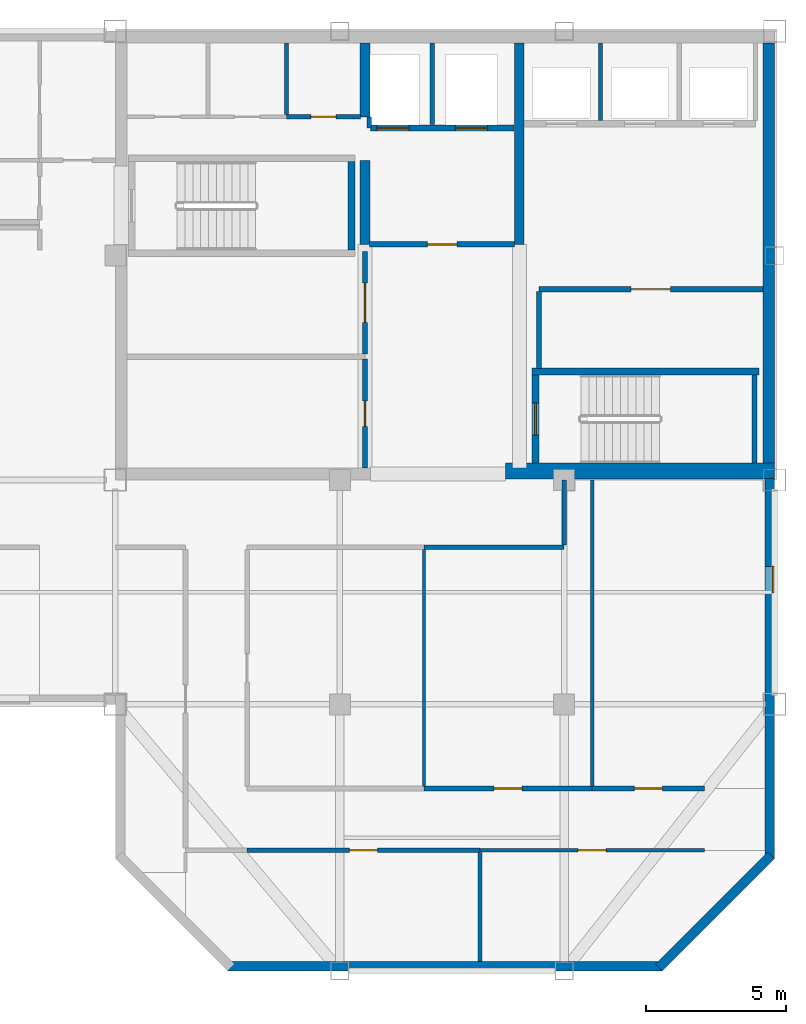
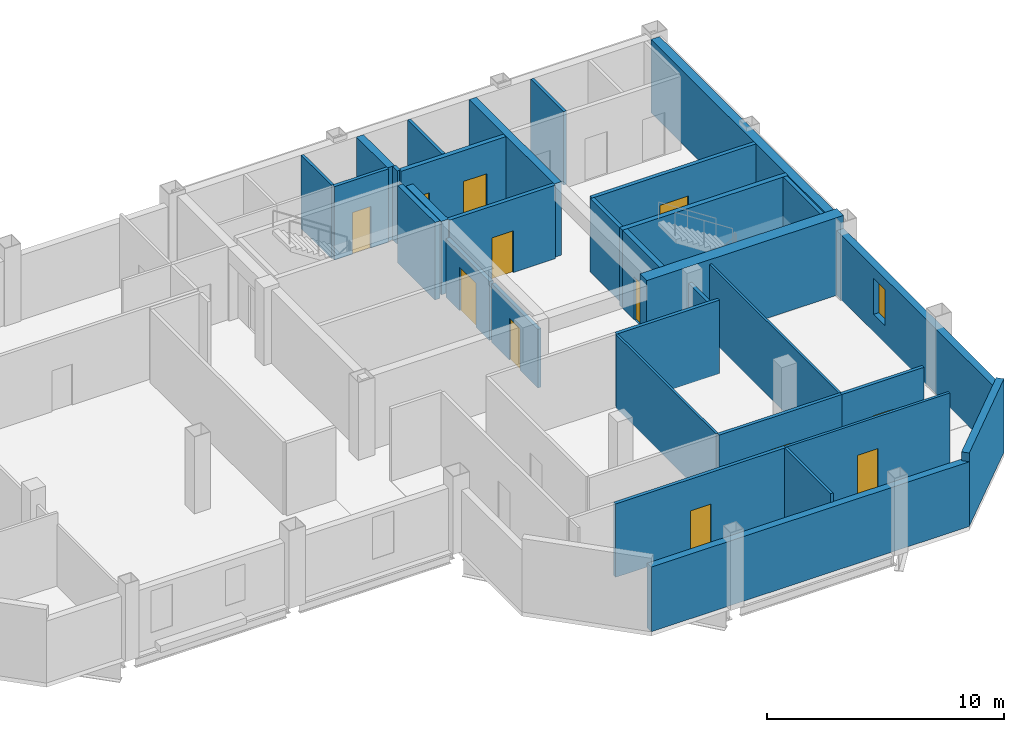
# One storey, part 3 of 7: 32 walls, 12 doors, 1 window, 13 openings.
"""IFC4 building model written with IfcOpenShell, lengths in metres."""

from ifc_helpers import new_model, si_unit, direction, frame, frame_2d, origin, place, context, subcontext, project, spatial, rectangle, extrude, material, layer, layer_set, type_object, element, fill, save


model = new_model("IFC4")

# Units and contexts
model_context = context("Model", 3, precision=1e-05, world=origin(), true_north=direction((0.0, 1.0)))
body_context = subcontext(model_context, "Body", "Model", "MODEL_VIEW")
ifc_project = project(units=[si_unit("LENGTHUNIT", "METRE"), si_unit("AREAUNIT", "SQUARE_METRE"), si_unit("VOLUMEUNIT", "CUBIC_METRE"), si_unit("PLANEANGLEUNIT", "RADIAN"), si_unit("MASSUNIT", "GRAM", prefix="KILO")], contexts=[model_context])

# Site, building, storey
site_placement = place(None, origin())
site = spatial("IfcSite", under=ifc_project, at=site_placement, CompositionType="ELEMENT")
building_placement = place(site_placement, origin())
building = spatial("IfcBuilding", under=site, at=building_placement, Name="Qianrong Seaharbour Tower", CompositionType="ELEMENT")
storey_placement = place(building_placement, frame((0.0, 0.0, 335.199951171875)))
storey = spatial("IfcBuildingStorey", under=building, at=storey_placement, Name="L81", CompositionType="ELEMENT", Elevation=335.199951171875)

# Walls
ifc_material_1 = material(Name="Concrete C50/60", Category="concrete")
ifc_layer_1 = layer(ifc_material_1, 0.419921875)
ifc_layer_set_1 = layer_set([ifc_layer_1], Name="Concrete C50/60")
wall_type_1 = type_object("IfcWallType", Name="WALL-CORE-420", PredefinedType="SHEAR", material=ifc_layer_set_1)
wall_1_placement = place(storey_placement, frame((63.7900390625, 36.320068359375, 0.0), z_axis=(0.0, 0.0, 1.0), x_axis=(0.0, 1.0, 0.0)))
element("IfcWall", 1, at=wall_1_placement, inside=storey, type_object=wall_type_1, Name="L81 East Core Shear Wall", PredefinedType="SHEAR", context=body_context, shape_type="SweptSolid", body=[
    extrude(rectangle(XDim=15.260009765625, YDim=0.419921875, at=frame_2d((7.6298828125, 0.0))), origin(), (0.0, 0.0, 1.0), 3.78515625),
])
ifc_material_2 = material(Name="Concrete C70/85", Category="concrete")
ifc_layer_2 = layer(ifc_material_2, 0.580078125)
ifc_layer_set_2 = layer_set([ifc_layer_2], Name="Concrete C70/85")
wall_type_2 = type_object("IfcWallType", Name="WALL-CORE-580", PredefinedType="SHEAR", material=ifc_layer_set_2)
wall_2_placement = place(storey_placement, frame((54.39990234375, 36.320068359375, 0.0), z_axis=(0.0, 0.0, 1.0), x_axis=(1.0, 0.0, 0.0)))
element("IfcWall", 2, at=wall_2_placement, inside=storey, type_object=wall_type_2, Name="L81 South Core Shear Wall S3", PredefinedType="SHEAR", context=body_context, shape_type="SweptSolid", body=[
    extrude(rectangle(XDim=9.60009765625, YDim=0.580078125, at=frame_2d((4.800048828125, 0.0))), origin(), (0.0, 0.0, 1.0), 4.0),
])
ifc_layer_3 = layer(ifc_material_1, 0.35009765625)
ifc_layer_set_3 = layer_set([ifc_layer_3], Name="Concrete C50/60")
wall_type_3 = type_object("IfcWallType", Name="WALL-CORE-INT-350", PredefinedType="SHEAR", material=ifc_layer_set_3)
wall_3_placement = place(storey_placement, frame((49.39990234375, 44.39990234375, 0.0), z_axis=(0.0, 0.0, 1.0), x_axis=(0.0, 1.0, 0.0)))
element("IfcWall", 3, at=wall_3_placement, inside=storey, type_object=wall_type_3, Name="L81 Internal Core Shear Wall IW1N1", PredefinedType="SHEAR", context=body_context, shape_type="SweptSolid", body=[
    extrude(rectangle(XDim=3.0, YDim=0.35009765625, at=frame_2d((1.5, 0.0))), origin(), (0.0, 0.0, 1.0), 3.78515625),
])
wall_4_placement = place(storey_placement, frame((49.39990234375, 48.949951171875, 0.0), z_axis=(0.0, 0.0, 1.0), x_axis=(0.0, 1.0, 0.0)))
element("IfcWall", 4, at=wall_4_placement, inside=storey, type_object=wall_type_3, Name="L81 Internal Core Shear Wall IW1N2", PredefinedType="SHEAR", context=body_context, shape_type="SweptSolid", body=[
    extrude(rectangle(XDim=2.630126953125, YDim=0.35009765625, at=frame_2d((1.31494140625, 0.0))), origin(), (0.0, 0.0, 1.0), 3.78515625),
])
wall_5_placement = place(storey_placement, frame((54.89990234375, 44.39990234375, 0.0), z_axis=(0.0, 0.0, 1.0), x_axis=(0.0, 1.0, 0.0)))
element("IfcWall", 5, at=wall_5_placement, inside=storey, type_object=wall_type_3, Name="L81 Internal Core Shear Wall IW2N", PredefinedType="SHEAR", context=body_context, shape_type="SweptSolid", body=[
    extrude(rectangle(XDim=7.18017578125, YDim=0.35009765625, at=frame_2d((3.590087890625, 0.0))), origin(), (0.0, 0.0, 1.0), 3.78515625),
])

# Wall, opening, door
ifc_material_3 = material(Name="Fire-rated acoustic gypsum board partition")
ifc_layer_4 = layer(ifc_material_3, 0.1650390625)
ifc_layer_set_4 = layer_set([ifc_layer_4], Name="Fire-rated acoustic gypsum board partition")
wall_type_4 = type_object("IfcWallType", Name="WALL-CORR-PART-165", PredefinedType="PARTITIONING", material=ifc_layer_set_4)
wall_6_placement = place(storey_placement, frame((46.60009765625, 48.949951171875, 0.0), z_axis=(0.0, 0.0, 1.0), x_axis=(1.0, 0.0, 0.0)))
wall_6 = element("IfcWall", 6, at=wall_6_placement, inside=storey, type_object=wall_type_4, Name="L81 Interior Partition Wall 008", PredefinedType="PARTITIONING", context=body_context, shape_type="SweptSolid", body=[
    extrude(rectangle(XDim=2.6328125, YDim=0.1650390625, at=frame_2d((1.31640625, 0.0))), origin(), (0.0, 0.0, 1.0), 3.78515625),
])
opening_1_placement = place(wall_6_placement, frame((0.866455078125, 0.0, 0.0)))
opening_1 = element("IfcOpeningElement", 7, at=opening_1_placement, cuts=wall_6, Name="Opening DS-01", PredefinedType="OPENING", context=body_context, shape_type="SweptSolid", body=[
    extrude(rectangle(XDim=0.89990234375, YDim=2.14990234375, at=frame_2d((0.449951171875, 1.074951171875))), frame((0.0, 0.092529296875, 0.0), z_axis=(0.0, -1.0, 0.0), x_axis=(1.0, 0.0, 0.0)), (0.0, 0.0, 1.0), 0.18505859375),
])
ifc_material_4 = material(Name="Acoustic timber and galvanized steel fire door assembly", Category="steel")
door_type_1 = type_object("IfcDoorType", Name="DOOR-STORE-900x2150", OperationType="NOTDEFINED", PredefinedType="DOOR", material=ifc_material_4)
door_1_placement = place(opening_1_placement, origin())
door_1 = element("IfcDoor", 8, at=door_1_placement, inside=storey, type_object=door_type_1, Name="L81 Cleaner Store Room Door", OperationType="SINGLE_SWING_LEFT", OverallHeight=2.14990234375, OverallWidth=0.89990234375, PredefinedType="DOOR", context=body_context, shape_type="SweptSolid", body=[
    extrude(rectangle(XDim=0.89990234375, YDim=2.14990234375, at=frame_2d((0.449951171875, 1.074951171875))), frame((0.0, 0.02490234375, 0.0), z_axis=(0.0, -1.0, 0.0), x_axis=(1.0, 0.0, 0.0)), (0.0, 0.0, 1.0), 0.050048828125),
])
fill(opening_1, door_1)

wall_7_placement = place(storey_placement, frame((49.39990234375, 36.419921875, 0.0), z_axis=(0.0, 0.0, 1.0), x_axis=(0.0, 1.0, 0.0)))
wall_7 = element("IfcWall", 9, at=wall_7_placement, inside=storey, type_object=wall_type_4, Name="L81 Interior Partition Wall 010", PredefinedType="PARTITIONING", context=body_context, shape_type="SweptSolid", body=[
    extrude(rectangle(XDim=3.89306640625, YDim=0.1650390625, at=frame_2d((1.946533203125, 0.0))), origin(), (0.0, 0.0, 1.0), 3.027099609375),
])
opening_2_placement = place(wall_7_placement, frame((1.49658203125, 0.0, 0.0)))
opening_2 = element("IfcOpeningElement", 10, at=opening_2_placement, cuts=wall_7, Name="Opening DS-01", PredefinedType="OPENING", context=body_context, shape_type="SweptSolid", body=[
    extrude(rectangle(XDim=0.89990234375, YDim=2.14990234375, at=frame_2d((0.449951171875, 1.074951171875))), frame((0.0, 0.092529296875, 0.0), z_axis=(0.0, -1.0, 0.0), x_axis=(1.0, 0.0, 0.0)), (0.0, 0.0, 1.0), 0.18505859375),
])
door_2_placement = place(opening_2_placement, origin())
door_2 = element("IfcDoor", 11, at=door_2_placement, inside=storey, type_object=door_type_1, Name="L81 Corporate Archive Room Door", OperationType="SINGLE_SWING_RIGHT", OverallHeight=2.14990234375, OverallWidth=0.89990234375, PredefinedType="DOOR", context=body_context, shape_type="SweptSolid", body=[
    extrude(rectangle(XDim=0.89990234375, YDim=2.14990234375, at=frame_2d((0.449951171875, 1.074951171875))), frame((0.0, 0.02490234375, 0.0), z_axis=(0.0, -1.0, 0.0), x_axis=(1.0, 0.0, 0.0)), (0.0, 0.0, 1.0), 0.050048828125),
])
fill(opening_2, door_2)

# Walls
wall_8_placement = place(storey_placement, frame((56.5, 36.0, 0.0), z_axis=(0.0, 0.0, 1.0), x_axis=(0.0, -1.0, 0.0)))
element("IfcWall", 12, at=wall_8_placement, inside=storey, type_object=wall_type_4, Name="L81 Interior Partition Wall 026", PredefinedType="PARTITIONING", context=body_context, shape_type="SweptSolid", body=[
    extrude(rectangle(XDim=2.325439453125, YDim=0.1650390625, at=frame_2d((1.16259765625, 0.0))), origin(), (0.0, 0.0, 1.0), 3.177001953125),
])
wall_9_placement = place(storey_placement, frame((56.5, 33.60009765625, 0.0), z_axis=(0.0, 0.0, 1.0), x_axis=(-1.0, 0.0, 0.0)))
element("IfcWall", 13, at=wall_9_placement, inside=storey, type_object=wall_type_4, Name="L81 Interior Partition Wall 027", PredefinedType="PARTITIONING", context=body_context, shape_type="SweptSolid", body=[
    extrude(rectangle(XDim=5.0, YDim=0.1650390625, at=frame_2d((2.5, 0.0))), origin(), (0.0, 0.0, 1.0), 3.78515625),
])

# Wall, opening, door
wall_10_placement = place(storey_placement, frame((51.5, 25.0, 0.0), z_axis=(0.0, 0.0, 1.0), x_axis=(1.0, 0.0, 0.0)))
wall_10 = element("IfcWall", 14, at=wall_10_placement, inside=storey, type_object=wall_type_4, Name="L81 Interior Partition Wall 033", PredefinedType="PARTITIONING", context=body_context, shape_type="SweptSolid", body=[
    extrude(rectangle(XDim=6.0, YDim=0.1650390625, at=frame_2d((3.0, 0.0))), origin(), (0.0, 0.0, 1.0), 3.78515625),
])
opening_3_placement = place(wall_10_placement, frame((2.5, 0.0, 0.0)))
opening_3 = element("IfcOpeningElement", 15, at=opening_3_placement, cuts=wall_10, Name="Opening DO-01", PredefinedType="OPENING", context=body_context, shape_type="SweptSolid", body=[
    extrude(rectangle(XDim=1.0, YDim=2.14990234375, at=frame_2d((0.5, 1.074951171875))), frame((0.0, 0.092529296875, 0.0), z_axis=(0.0, -1.0, 0.0), x_axis=(1.0, 0.0, 0.0)), (0.0, 0.0, 1.0), 0.18505859375),
])
door_type_2 = type_object("IfcDoorType", Name="DOOR-OFFICE-1000x2150", OperationType="NOTDEFINED", PredefinedType="DOOR", material=ifc_material_4)
door_3_placement = place(opening_3_placement, origin())
door_3 = element("IfcDoor", 16, at=door_3_placement, inside=storey, type_object=door_type_2, Name="L81 Catering Servery Kitchen 2 Door", OperationType="SINGLE_SWING_RIGHT", OverallHeight=2.14990234375, OverallWidth=1.0, PredefinedType="DOOR", context=body_context, shape_type="SweptSolid", body=[
    extrude(rectangle(XDim=1.0, YDim=2.14990234375, at=frame_2d((0.5, 1.074951171875))), frame((0.0, 0.02490234375, 0.0), z_axis=(0.0, -1.0, 0.0), x_axis=(1.0, 0.0, 0.0)), (0.0, 0.0, 1.0), 0.050048828125),
])
fill(opening_3, door_3)

wall_11_placement = place(storey_placement, frame((57.5, 25.0, 0.0), z_axis=(0.0, 0.0, 1.0), x_axis=(1.0, 0.0, 0.0)))
wall_11 = element("IfcWall", 17, at=wall_11_placement, inside=storey, type_object=wall_type_4, Name="L81 Interior Partition Wall 034", PredefinedType="PARTITIONING", context=body_context, shape_type="SweptSolid", body=[
    extrude(rectangle(XDim=4.0, YDim=0.1650390625, at=frame_2d((2.0, 0.0))), origin(), (0.0, 0.0, 1.0), 3.78515625),
])
opening_4_placement = place(wall_11_placement, frame((1.5, 0.0, 0.0)))
opening_4 = element("IfcOpeningElement", 18, at=opening_4_placement, cuts=wall_11, Name="Opening DO-01", PredefinedType="OPENING", context=body_context, shape_type="SweptSolid", body=[
    extrude(rectangle(XDim=1.0, YDim=2.14990234375, at=frame_2d((0.5, 1.074951171875))), frame((0.0, 0.092529296875, 0.0), z_axis=(0.0, -1.0, 0.0), x_axis=(1.0, 0.0, 0.0)), (0.0, 0.0, 1.0), 0.18505859375),
])
door_4_placement = place(opening_4_placement, origin())
door_4 = element("IfcDoor", 19, at=door_4_placement, inside=storey, type_object=door_type_2, Name="L81 Staff Lounge 3 Door", OperationType="SINGLE_SWING_LEFT", OverallHeight=2.14990234375, OverallWidth=1.0, PredefinedType="DOOR", context=body_context, shape_type="SweptSolid", body=[
    extrude(rectangle(XDim=1.0, YDim=2.14990234375, at=frame_2d((0.5, 1.074951171875))), frame((0.0, 0.02490234375, 0.0), z_axis=(0.0, -1.0, 0.0), x_axis=(1.0, 0.0, 0.0)), (0.0, 0.0, 1.0), 0.050048828125),
])
fill(opening_4, door_4)

wall_12_placement = place(storey_placement, frame((53.5, 22.800048828125, 0.0), z_axis=(0.0, 0.0, 1.0), x_axis=(-1.0, 0.0, 0.0)))
wall_12 = element("IfcWall", 20, at=wall_12_placement, inside=storey, type_object=wall_type_4, Name="L81 Interior Partition Wall 035", PredefinedType="PARTITIONING", context=body_context, shape_type="SweptSolid", body=[
    extrude(rectangle(XDim=8.300048828125, YDim=0.1650390625, at=frame_2d((4.14990234375, 0.0))), origin(), (0.0, 0.0, 1.0), 3.78515625),
])
opening_5_placement = place(wall_12_placement, frame((3.64990234375, 0.0, 0.0)))
opening_5 = element("IfcOpeningElement", 21, at=opening_5_placement, cuts=wall_12, Name="Opening DO-01", PredefinedType="OPENING", context=body_context, shape_type="SweptSolid", body=[
    extrude(rectangle(XDim=1.0, YDim=2.14990234375, at=frame_2d((0.5, 1.074951171875))), frame((0.0, 0.092529296875, 0.0), z_axis=(0.0, -1.0, 0.0), x_axis=(1.0, 0.0, 0.0)), (0.0, 0.0, 1.0), 0.18505859375),
])
door_5_placement = place(opening_5_placement, origin())
door_5 = element("IfcDoor", 22, at=door_5_placement, inside=storey, type_object=door_type_2, Name="L81 South View Lounge 1 Door", OperationType="SINGLE_SWING_LEFT", OverallHeight=2.14990234375, OverallWidth=1.0, PredefinedType="DOOR", context=body_context, shape_type="SweptSolid", body=[
    extrude(rectangle(XDim=1.0, YDim=2.14990234375, at=frame_2d((0.5, 1.074951171875))), frame((0.0, 0.02490234375, 0.0), z_axis=(0.0, -1.0, 0.0), x_axis=(1.0, 0.0, 0.0)), (0.0, 0.0, 1.0), 0.050048828125),
])
fill(opening_5, door_5)

# Walls
ifc_material_5 = material(Name="Demountable aluminium-framed acoustic office partition", Category="aluminium")
ifc_layer_5 = layer(ifc_material_5, 0.110107421875)
ifc_layer_set_5 = layer_set([ifc_layer_5], Name="Demountable aluminium-framed acoustic office partition")
wall_type_5 = type_object("IfcWallType", Name="WALL-DEMOUNT-110", PredefinedType="MOVABLE", material=ifc_layer_set_5)
wall_13_placement = place(storey_placement, frame((51.5, 33.525390625, 0.0), z_axis=(0.0, 0.0, 1.0), x_axis=(0.0, -1.0, 0.0)))
element("IfcWall", 23, at=wall_13_placement, inside=storey, type_object=wall_type_5, Name="L81 Interior Partition Wall 043", PredefinedType="MOVABLE", context=body_context, shape_type="SweptSolid", body=[
    extrude(rectangle(XDim=8.450927734375, YDim=0.110107421875, at=frame_2d((4.2255859375, 0.0))), origin(), (0.0, 0.0, 1.0), 3.78515625),
])
wall_14_placement = place(storey_placement, frame((57.5, 36.0, 0.0), z_axis=(0.0, 0.0, 1.0), x_axis=(0.0, -1.0, 0.0)))
element("IfcWall", 24, at=wall_14_placement, inside=storey, type_object=wall_type_5, Name="L81 Interior Partition Wall 044", PredefinedType="MOVABLE", context=body_context, shape_type="SweptSolid", body=[
    extrude(rectangle(XDim=10.925537109375, YDim=0.110107421875, at=frame_2d((5.462890625, 0.0))), origin(), (0.0, 0.0, 1.0), 3.78515625),
])

# Wall, opening, window
ifc_material_6 = material(Name="Unitised buff brick on Precast concrete C45/55", Category="masonry")
ifc_layer_6 = layer(ifc_material_6, 0.340087890625)
ifc_layer_set_6 = layer_set([ifc_layer_6], Name="Unitised buff brick on Precast concrete C45/55")
wall_type_6 = type_object("IfcWallType", Name="WALL-EXT-BRICK-BUFF-340", PredefinedType="SOLIDWALL", material=ifc_layer_set_6)
wall_15_placement = place(storey_placement, frame((63.830078125, 36.050048828125, 0.0), z_axis=(0.0, 0.0, 1.0), x_axis=(0.0, -1.0, 0.0)))
wall_15 = element("IfcWall", 25, at=wall_15_placement, inside=storey, type_object=wall_type_6, Name="L81 Exterior Masonry Facade Wall EAST_WING", PredefinedType="SOLIDWALL", context=body_context, shape_type="SweptSolid", body=[
    extrude(rectangle(XDim=13.550048828125, YDim=0.340087890625, at=frame_2d((6.77490234375, 0.0))), origin(), (0.0, 0.0, 1.0), 3.3349609375),
])
opening_6_placement = place(wall_15_placement, frame((3.125, 0.0, 0.89990234375)))
opening_6 = element("IfcOpeningElement", 26, at=opening_6_placement, cuts=wall_15, Name="Opening WN-13", PredefinedType="OPENING", context=body_context, shape_type="SweptSolid", body=[
    extrude(rectangle(XDim=0.949951171875, YDim=1.85009765625, at=frame_2d((0.47509765625, 0.925048828125))), frame((0.0, 0.18017578125, 0.0), z_axis=(0.0, -1.0, 0.0), x_axis=(1.0, 0.0, 0.0)), (0.0, 0.0, 1.0), 0.360107421875),
])
ifc_material_7 = material(Name="Insulated low-e double glazing in thermally broken aluminium 6063-T6 frame", Category="aluminium")
window_type = type_object("IfcWindowType", Name="WIN-NARROW-950x1850", PartitioningType="SINGLE_PANEL", PredefinedType="WINDOW", material=ifc_material_7)
window_placement = place(opening_6_placement, origin())
window = element("IfcWindow", 27, at=window_placement, inside=storey, type_object=window_type, Name="L81 Deep-Set Punched Window 06.01", OverallHeight=1.85009765625, OverallWidth=0.949951171875, PartitioningType="SINGLE_PANEL", PredefinedType="WINDOW", context=body_context, shape_type="SweptSolid", body=[
    extrude(rectangle(XDim=0.949951171875, YDim=1.85009765625, at=frame_2d((0.47509765625, 0.925048828125))), frame((0.0, 0.150146484375, 0.0), z_axis=(0.0, -1.0, 0.0), x_axis=(1.0, 0.0, 0.0)), (0.0, 0.0, 1.0), 0.06005859375),
])
fill(opening_6, window)

# Walls
wall_16_placement = place(storey_placement, frame((63.8798828125, 22.6201171875, 0.0), z_axis=(0.0, 0.0, 1.0), x_axis=(-0.707106781187, -0.707106781187, 0.0)))
element("IfcWall", 28, at=wall_16_placement, inside=storey, type_object=wall_type_6, Name="L81 Exterior Masonry Facade Wall E07", PredefinedType="SOLIDWALL", context=body_context, shape_type="SweptSolid", body=[
    extrude(rectangle(XDim=5.65673828125, YDim=0.340087890625, at=frame_2d((2.828369140625, 0.0))), origin(), (0.0, 0.0, 1.0), 3.78515625),
])
wall_17_placement = place(storey_placement, frame((60.0, 18.669921875, 0.0), z_axis=(0.0, 0.0, 1.0), x_axis=(-1.0, 0.0, 0.0)))
element("IfcWall", 29, at=wall_17_placement, inside=storey, type_object=wall_type_6, Name="L81 Exterior Masonry Facade Wall SOUTH_TIP", PredefinedType="SOLIDWALL", context=body_context, shape_type="SweptSolid", body=[
    extrude(rectangle(XDim=15.5, YDim=0.340087890625, at=frame_2d((7.75, 0.0))), origin(), (0.0, 0.0, 1.0), 3.3349609375),
])

# Wall, opening, door
ifc_material_8 = material(Name="Double fire-rated gypsum board acoustic partition")
ifc_layer_7 = layer(ifc_material_8, 0.18994140625)
ifc_layer_set_7 = layer_set([ifc_layer_7], Name="Double fire-rated gypsum board acoustic partition")
wall_type_7 = type_object("IfcWallType", Name="WALL-FIRE-PART-190", PredefinedType="PARTITIONING", material=ifc_layer_set_7)
wall_18_placement = place(storey_placement, frame((54.73291015625, 44.39990234375, 0.0), z_axis=(0.0, 0.0, 1.0), x_axis=(-1.0, 0.0, 0.0)))
wall_18 = element("IfcWall", 30, at=wall_18_placement, inside=storey, type_object=wall_type_7, Name="L81 Interior Partition Wall 009", PredefinedType="PARTITIONING", context=body_context, shape_type="SweptSolid", body=[
    extrude(rectangle(XDim=5.166015625, YDim=0.18994140625, at=frame_2d((2.5830078125, 0.0))), origin(), (0.0, 0.0, 1.0), 3.78515625),
])
opening_7_placement = place(wall_18_placement, frame((2.05810546875, 0.0, 0.0)))
opening_7 = element("IfcOpeningElement", 31, at=opening_7_placement, cuts=wall_18, Name="Opening DC-01", PredefinedType="OPENING", context=body_context, shape_type="SweptSolid", body=[
    extrude(rectangle(XDim=1.050048828125, YDim=2.14990234375, at=frame_2d((0.52490234375, 1.074951171875))), frame((0.0, 0.10498046875, 0.0), z_axis=(0.0, -1.0, 0.0), x_axis=(1.0, 0.0, 0.0)), (0.0, 0.0, 1.0), 0.2099609375),
])
door_type_3 = type_object("IfcDoorType", Name="DOOR-CORR-FD60-1050x2150", OperationType="NOTDEFINED", PredefinedType="DOOR", material=ifc_material_4)
door_6_placement = place(opening_7_placement, origin())
door_6 = element("IfcDoor", 32, at=door_6_placement, inside=storey, type_object=door_type_3, Name="L81 Firefighting Lift Lobby Door", OperationType="SINGLE_SWING_LEFT", OverallHeight=2.14990234375, OverallWidth=1.050048828125, PredefinedType="DOOR", context=body_context, shape_type="SweptSolid", body=[
    extrude(rectangle(XDim=1.050048828125, YDim=2.14990234375, at=frame_2d((0.52490234375, 1.074951171875))), frame((0.0, 0.02490234375, 0.0), z_axis=(0.0, -1.0, 0.0), x_axis=(1.0, 0.0, 0.0)), (0.0, 0.0, 1.0), 0.050048828125),
])
fill(opening_7, door_6)

wall_19_placement = place(storey_placement, frame((49.39990234375, 40.487060546875, 0.0), z_axis=(0.0, 0.0, 1.0), x_axis=(0.0, 1.0, 0.0)))
wall_19 = element("IfcWall", 33, at=wall_19_placement, inside=storey, type_object=wall_type_7, Name="L81 Interior Partition Wall 011", PredefinedType="PARTITIONING", context=body_context, shape_type="SweptSolid", body=[
    extrude(rectangle(XDim=3.662841796875, YDim=0.18994140625, at=frame_2d((1.83154296875, 0.0))), origin(), (0.0, 0.0, 1.0), 3.027099609375),
])
opening_8_placement = place(wall_19_placement, frame((1.131591796875, 0.0, 0.0)))
opening_8 = element("IfcOpeningElement", 34, at=opening_8_placement, cuts=wall_19, Name="Opening DP-01", PredefinedType="OPENING", context=body_context, shape_type="SweptSolid", body=[
    extrude(rectangle(XDim=1.39990234375, YDim=2.25, at=frame_2d((0.699951171875, 1.125))), frame((0.0, 0.10498046875, 0.0), z_axis=(0.0, -1.0, 0.0), x_axis=(1.0, 0.0, 0.0)), (0.0, 0.0, 1.0), 0.2099609375),
])
door_type_4 = type_object("IfcDoorType", Name="DOOR-PLANT-PAIR-1400x2250", OperationType="DOUBLE_DOOR_SINGLE_SWING", PredefinedType="DOOR", material=ifc_material_4)
door_7_placement = place(opening_8_placement, origin())
door_7 = element("IfcDoor", 35, at=door_7_placement, inside=storey, type_object=door_type_4, Name="L81 Telecom Server Room Door", OperationType="DOUBLE_DOOR_SINGLE_SWING", OverallHeight=2.25, OverallWidth=1.39990234375, PredefinedType="DOOR", context=body_context, shape_type="SweptSolid", body=[
    extrude(rectangle(XDim=1.39990234375, YDim=2.25, at=frame_2d((0.699951171875, 1.125))), frame((0.0, 0.02490234375, 0.0), z_axis=(0.0, -1.0, 0.0), x_axis=(1.0, 0.0, 0.0)), (0.0, 0.0, 1.0), 0.050048828125),
])
fill(opening_8, door_7)

# Wall
wall_20_placement = place(storey_placement, frame((55.60009765625, 42.712890625, 0.0), z_axis=(0.0, 0.0, 1.0), x_axis=(0.0, -1.0, 0.0)))
element("IfcWall", 36, at=wall_20_placement, inside=storey, type_object=wall_type_7, Name="L81 Interior Partition Wall 012", PredefinedType="PARTITIONING", context=body_context, shape_type="SweptSolid", body=[
    extrude(rectangle(XDim=2.73095703125, YDim=0.18994140625, at=frame_2d((1.365478515625, 0.0))), origin(), (0.0, 0.0, 1.0), 3.78515625),
])

# Wall, opening, door
wall_21_placement = place(storey_placement, frame((63.580078125, 42.800048828125, 0.0), z_axis=(0.0, 0.0, 1.0), x_axis=(-1.0, 0.0, 0.0)))
wall_21 = element("IfcWall", 37, at=wall_21_placement, inside=storey, type_object=wall_type_7, Name="L81 Interior Partition Wall 014", PredefinedType="PARTITIONING", context=body_context, shape_type="SweptSolid", body=[
    extrude(rectangle(XDim=7.97998046875, YDim=0.18994140625, at=frame_2d((3.989990234375, 0.0))), origin(), (0.0, 0.0, 1.0), 3.78515625),
])
opening_9_placement = place(wall_21_placement, frame((3.2900390625, 0.0, 0.0)))
opening_9 = element("IfcOpeningElement", 38, at=opening_9_placement, cuts=wall_21, Name="Opening DP-01", PredefinedType="OPENING", context=body_context, shape_type="SweptSolid", body=[
    extrude(rectangle(XDim=1.39990234375, YDim=2.25, at=frame_2d((0.699951171875, 1.125))), frame((0.0, 0.10498046875, 0.0), z_axis=(0.0, -1.0, 0.0), x_axis=(1.0, 0.0, 0.0)), (0.0, 0.0, 1.0), 0.2099609375),
])
door_8_placement = place(opening_9_placement, origin())
door_8 = element("IfcDoor", 39, at=door_8_placement, inside=storey, type_object=door_type_4, Name="L81 Core Telecom Hub Room Door", OperationType="DOUBLE_DOOR_SINGLE_SWING", OverallHeight=2.25, OverallWidth=1.39990234375, PredefinedType="DOOR", context=body_context, shape_type="SweptSolid", body=[
    extrude(rectangle(XDim=1.39990234375, YDim=2.25, at=frame_2d((0.699951171875, 1.125))), frame((0.0, 0.02490234375, 0.0), z_axis=(0.0, -1.0, 0.0), x_axis=(1.0, 0.0, 0.0)), (0.0, 0.0, 1.0), 0.050048828125),
])
fill(opening_9, door_8)

# Walls
ifc_material_9 = material(Name="Fire-rated gypsum board on steel studs", Category="steel")
ifc_layer_8 = layer(ifc_material_9, 0.14990234375)
ifc_layer_set_8 = layer_set([ifc_layer_8], Name="Fire-rated gypsum board on steel studs")
wall_type_8 = type_object("IfcWallType", Name="WALL-SHAFT-DIV-150", PredefinedType="PARTITIONING", material=ifc_layer_set_8)
wall_22_placement = place(storey_placement, frame((51.800048828125, 48.669921875, 0.0), z_axis=(0.0, 0.0, 1.0), x_axis=(0.0, 1.0, 0.0)))
element("IfcWall", 40, at=wall_22_placement, inside=storey, type_object=wall_type_8, Name="L81 Firefighting Lift Shaft Divider Wall", PredefinedType="PARTITIONING", context=body_context, shape_type="SweptSolid", body=[
    extrude(rectangle(XDim=2.91015625, YDim=0.14990234375, at=frame_2d((1.455078125, 0.0))), origin(), (0.0, 0.0, 1.0), 3.78515625),
])
wall_23_placement = place(storey_placement, frame((49.550048828125, 48.550048828125, 0.0), z_axis=(0.0, 0.0, 1.0), x_axis=(0.0, 1.0, 0.0)))
element("IfcWall", 41, at=wall_23_placement, inside=storey, type_object=wall_type_8, Name="L81 Firefighting Lift Shaft West Return Wall", PredefinedType="PARTITIONING", context=body_context, shape_type="SweptSolid", body=[
    extrude(rectangle(XDim=0.39990234375, YDim=0.14990234375, at=frame_2d((0.199951171875, 0.0))), origin(), (0.0, 0.0, 1.0), 3.78515625),
])
wall_24_placement = place(storey_placement, frame((57.800048828125, 48.81005859375, 0.0), z_axis=(0.0, 0.0, 1.0), x_axis=(0.0, 1.0, 0.0)))
element("IfcWall", 42, at=wall_24_placement, inside=storey, type_object=wall_type_8, Name="L81 P4 Lift Hoistway Divider 2", PredefinedType="PARTITIONING", context=body_context, shape_type="SweptSolid", body=[
    extrude(rectangle(XDim=2.77001953125, YDim=0.14990234375, at=frame_2d((1.385009765625, 0.0))), origin(), (0.0, 0.0, 1.0), 3.78515625),
])

# Wall, openings, doors
ifc_layer_9 = layer(ifc_material_9, 0.219970703125)
ifc_layer_set_9 = layer_set([ifc_layer_9], Name="Fire-rated gypsum board on steel studs")
wall_type_9 = type_object("IfcWallType", Name="WALL-SHAFT-GYP220", PredefinedType="PARTITIONING", material=ifc_layer_set_9)
wall_25_placement = place(storey_placement, frame((54.7099609375, 48.550048828125, 0.0), z_axis=(0.0, 0.0, 1.0), x_axis=(-1.0, 0.0, 0.0)))
wall_25 = element("IfcWall", 43, at=wall_25_placement, inside=storey, type_object=wall_type_9, Name="L81 Firefighting Lift Shaft Front Wall", PredefinedType="PARTITIONING", context=body_context, shape_type="SweptSolid", body=[
    extrude(rectangle(XDim=5.119873046875, YDim=0.219970703125, at=frame_2d((2.56005859375, 0.0))), origin(), (0.0, 0.0, 1.0), 3.78515625),
])
opening_10_placement = place(wall_25_placement, frame((3.735107421875, 0.0, 0.0)))
opening_10 = element("IfcOpeningElement", 44, at=opening_10_placement, cuts=wall_25, Name="Opening LD-01", PredefinedType="OPENING", context=body_context, shape_type="SweptSolid", body=[
    extrude(rectangle(XDim=1.14990234375, YDim=2.199951171875, at=frame_2d((0.574951171875, 1.10009765625))), frame((0.0, 0.1201171875, 0.0), z_axis=(0.0, -1.0, 0.0), x_axis=(1.0, 0.0, 0.0)), (0.0, 0.0, 1.0), 0.239990234375),
])
opening_11_placement = place(wall_25_placement, frame((0.93505859375, 0.0, 0.0)))
opening_11 = element("IfcOpeningElement", 45, at=opening_11_placement, cuts=wall_25, Name="Opening LD-01", PredefinedType="OPENING", context=body_context, shape_type="SweptSolid", body=[
    extrude(rectangle(XDim=1.14990234375, YDim=2.199951171875, at=frame_2d((0.574951171875, 1.10009765625))), frame((0.0, 0.1201171875, 0.0), z_axis=(0.0, -1.0, 0.0), x_axis=(1.0, 0.0, 0.0)), (0.0, 0.0, 1.0), 0.239990234375),
])
ifc_material_10 = material(Name="Stainless steel SUS316L bi-parting lift landing door", Category="steel")
door_type_5 = type_object("IfcDoorType", Name="DOOR-LIFT-FF-1150x2200", OperationType="DOUBLE_DOOR_SLIDING", PredefinedType="DOOR", material=ifc_material_10)
door_9_placement = place(opening_10_placement, origin())
door_9 = element("IfcDoor", 46, at=door_9_placement, inside=storey, type_object=door_type_5, Name="L81 FL-1 Firefighting Lift Landing Door", OperationType="DOUBLE_DOOR_SLIDING", OverallHeight=2.199951171875, OverallWidth=1.14990234375, PredefinedType="DOOR", context=body_context, shape_type="SweptSolid", body=[
    extrude(rectangle(XDim=1.14990234375, YDim=2.199951171875, at=frame_2d((0.574951171875, 1.10009765625))), frame((0.0, 0.02490234375, 0.0), z_axis=(0.0, -1.0, 0.0), x_axis=(1.0, 0.0, 0.0)), (0.0, 0.0, 1.0), 0.050048828125),
])
fill(opening_10, door_9)
door_10_placement = place(opening_11_placement, origin())
door_10 = element("IfcDoor", 47, at=door_10_placement, inside=storey, type_object=door_type_5, Name="L81 FL-2 Firefighting Lift Landing Door", OperationType="DOUBLE_DOOR_SLIDING", OverallHeight=2.199951171875, OverallWidth=1.14990234375, PredefinedType="DOOR", context=body_context, shape_type="SweptSolid", body=[
    extrude(rectangle(XDim=1.14990234375, YDim=2.199951171875, at=frame_2d((0.574951171875, 1.10009765625))), frame((0.0, 0.02490234375, 0.0), z_axis=(0.0, -1.0, 0.0), x_axis=(1.0, 0.0, 0.0)), (0.0, 0.0, 1.0), 0.050048828125),
])
fill(opening_11, door_10)

# Walls
ifc_layer_10 = layer(ifc_material_1, 0.239990234375)
ifc_layer_set_10 = layer_set([ifc_layer_10], Name="Concrete C50/60")
wall_type_10 = type_object("IfcWallType", Name="WALL-SHAFT-RC240", PredefinedType="SOLIDWALL", material=ifc_layer_set_10)
wall_26_placement = place(storey_placement, frame((48.919921875, 44.199951171875, 0.0), z_axis=(0.0, 0.0, 1.0), x_axis=(0.0, 1.0, 0.0)))
element("IfcWall", 48, at=wall_26_placement, inside=storey, type_object=wall_type_10, Name="L81 ST-1 Structural Stair Core Wall E", PredefinedType="SOLIDWALL", context=body_context, shape_type="SweptSolid", body=[
    extrude(rectangle(XDim=3.150146484375, YDim=0.239990234375, at=frame_2d((1.5751953125, 0.0))), origin(), (0.0, 0.0, 1.0), 4.0),
])
wall_27_placement = place(storey_placement, frame((55.360107421875, 39.8701171875, 0.0), z_axis=(0.0, 0.0, 1.0), x_axis=(1.0, 0.0, 0.0)))
element("IfcWall", 49, at=wall_27_placement, inside=storey, type_object=wall_type_10, Name="L81 ST-2 Structural Stair Core Wall N", PredefinedType="SOLIDWALL", context=body_context, shape_type="SweptSolid", body=[
    extrude(rectangle(XDim=8.079833984375, YDim=0.239990234375, at=frame_2d((4.0400390625, 0.0))), origin(), (0.0, 0.0, 1.0), 4.0),
])

# Wall, opening, door
wall_28_placement = place(storey_placement, frame((55.47998046875, 39.75, 0.0), z_axis=(0.0, 0.0, 1.0), x_axis=(0.0, -1.0, 0.0)))
wall_28 = element("IfcWall", 50, at=wall_28_placement, inside=storey, type_object=wall_type_10, Name="L81 ST-2 Structural Stair Core Wall W", PredefinedType="SOLIDWALL", context=body_context, shape_type="SweptSolid", body=[
    extrude(rectangle(XDim=3.14990234375, YDim=0.239990234375, at=frame_2d((1.574951171875, 0.0))), origin(), (0.0, 0.0, 1.0), 4.0),
])
opening_12_placement = place(wall_28_placement, frame((1.0, 0.0, 0.0)))
opening_12 = element("IfcOpeningElement", 51, at=opening_12_placement, cuts=wall_28, Name="Opening SD-01", PredefinedType="OPENING", context=body_context, shape_type="SweptSolid", body=[
    extrude(rectangle(XDim=1.14990234375, YDim=2.199951171875, at=frame_2d((0.574951171875, 1.10009765625))), frame((0.0, 0.1298828125, 0.0), z_axis=(0.0, -1.0, 0.0), x_axis=(1.0, 0.0, 0.0)), (0.0, 0.0, 1.0), 0.260009765625),
])
door_type_6 = type_object("IfcDoorType", Name="DOOR-STAIR-FD60-1150x2200", OperationType="NOTDEFINED", PredefinedType="DOOR", material=ifc_material_4)
door_11_placement = place(opening_12_placement, origin())
door_11 = element("IfcDoor", 52, at=door_11_placement, inside=storey, type_object=door_type_6, Name="L81 ST-2 Protected Stair Door", OperationType="SINGLE_SWING_RIGHT", OverallHeight=2.199951171875, OverallWidth=1.14990234375, PredefinedType="DOOR", context=body_context, shape_type="SweptSolid", body=[
    extrude(rectangle(XDim=1.14990234375, YDim=2.199951171875, at=frame_2d((0.574951171875, 1.10009765625))), frame((0.0, 0.02490234375, 0.0), z_axis=(0.0, -1.0, 0.0), x_axis=(1.0, 0.0, 0.0)), (0.0, 0.0, 1.0), 0.050048828125),
])
fill(opening_12, door_11)

# Walls
wall_29_placement = place(storey_placement, frame((63.2900390625, 36.60009765625, 0.0), z_axis=(0.0, 0.0, 1.0), x_axis=(0.0, 1.0, 0.0)))
element("IfcWall", 53, at=wall_29_placement, inside=storey, type_object=wall_type_10, Name="L81 ST-2 Structural Stair Core Wall E", PredefinedType="SOLIDWALL", context=body_context, shape_type="SweptSolid", body=[
    extrude(rectangle(XDim=3.14990234375, YDim=0.179931640625, at=frame_2d((1.574951171875, 0.0))), origin(), (0.0, 0.0, 1.0), 4.0),
])
ifc_material_11 = material(Name="Water-resistant cement board sanitary partition")
ifc_layer_11 = layer(ifc_material_11, 0.1298828125)
ifc_layer_set_11 = layer_set([ifc_layer_11], Name="Water-resistant cement board sanitary partition")
wall_type_11 = type_object("IfcWallType", Name="WALL-WET-PART-130", PredefinedType="PARTITIONING", material=ifc_layer_set_11)
wall_30_placement = place(storey_placement, frame((46.60009765625, 51.580078125, 0.0), z_axis=(0.0, 0.0, 1.0), x_axis=(0.0, -1.0, 0.0)))
element("IfcWall", 54, at=wall_30_placement, inside=storey, type_object=wall_type_11, Name="L81 Interior Partition Wall 016", PredefinedType="PARTITIONING", context=body_context, shape_type="SweptSolid", body=[
    extrude(rectangle(XDim=2.5556640625, YDim=0.1298828125, at=frame_2d((1.27783203125, 0.0))), origin(), (0.0, 0.0, 1.0), 3.78515625),
])

# Wall, opening, door
wall_31_placement = place(storey_placement, frame((61.5, 22.800048828125, 0.0), z_axis=(0.0, 0.0, 1.0), x_axis=(-1.0, 0.0, 0.0)))
wall_31 = element("IfcWall", 55, at=wall_31_placement, inside=storey, type_object=wall_type_11, Name="L81 Interior Partition Wall 036", PredefinedType="PARTITIONING", context=body_context, shape_type="SweptSolid", body=[
    extrude(rectangle(XDim=8.0, YDim=0.1298828125, at=frame_2d((4.0, 0.0))), origin(), (0.0, 0.0, 1.0), 3.78515625),
])
opening_13_placement = place(wall_31_placement, frame((3.5, 0.0, 0.0)))
opening_13 = element("IfcOpeningElement", 56, at=opening_13_placement, cuts=wall_31, Name="Opening DO-01", PredefinedType="OPENING", context=body_context, shape_type="SweptSolid", body=[
    extrude(rectangle(XDim=1.0, YDim=2.14990234375, at=frame_2d((0.5, 1.074951171875))), frame((0.0, 0.074951171875, 0.0), z_axis=(0.0, -1.0, 0.0), x_axis=(1.0, 0.0, 0.0)), (0.0, 0.0, 1.0), 0.14990234375),
])
door_12_placement = place(opening_13_placement, origin())
door_12 = element("IfcDoor", 57, at=door_12_placement, inside=storey, type_object=door_type_2, Name="L81 Tea Servery Pantry 2 Door", OperationType="SINGLE_SWING_RIGHT", OverallHeight=2.14990234375, OverallWidth=1.0, PredefinedType="DOOR", context=body_context, shape_type="SweptSolid", body=[
    extrude(rectangle(XDim=1.0, YDim=2.14990234375, at=frame_2d((0.5, 1.074951171875))), frame((0.0, 0.02490234375, 0.0), z_axis=(0.0, -1.0, 0.0), x_axis=(1.0, 0.0, 0.0)), (0.0, 0.0, 1.0), 0.050048828125),
])
fill(opening_13, door_12)

# Wall
wall_32_placement = place(storey_placement, frame((53.5, 22.7255859375, 0.0), z_axis=(0.0, 0.0, 1.0), x_axis=(0.0, -1.0, 0.0)))
element("IfcWall", 58, at=wall_32_placement, inside=storey, type_object=wall_type_11, Name="L81 Interior Partition Wall 046", PredefinedType="PARTITIONING", context=body_context, shape_type="SweptSolid", body=[
    extrude(rectangle(XDim=3.8935546875, YDim=0.1298828125, at=frame_2d((1.94677734375, 0.0))), origin(), (0.0, 0.0, 1.0), 3.78515625),
])

save(model, "model.ifc")
